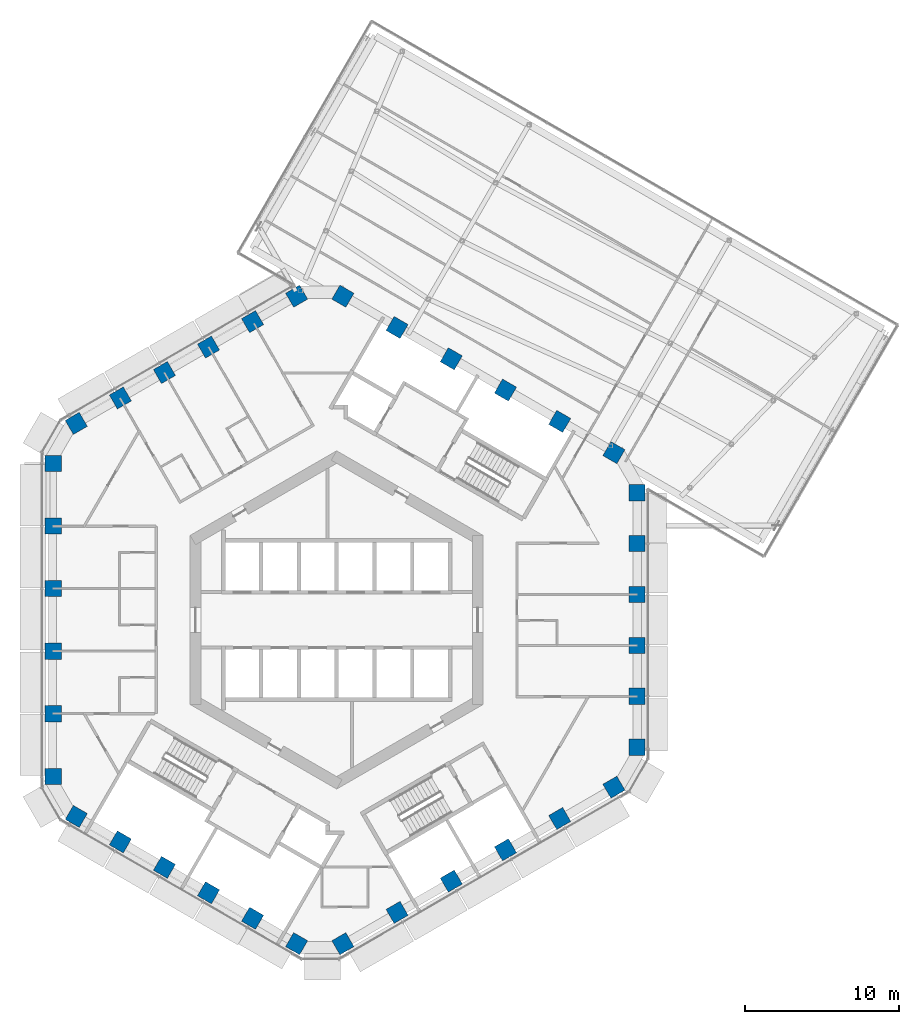
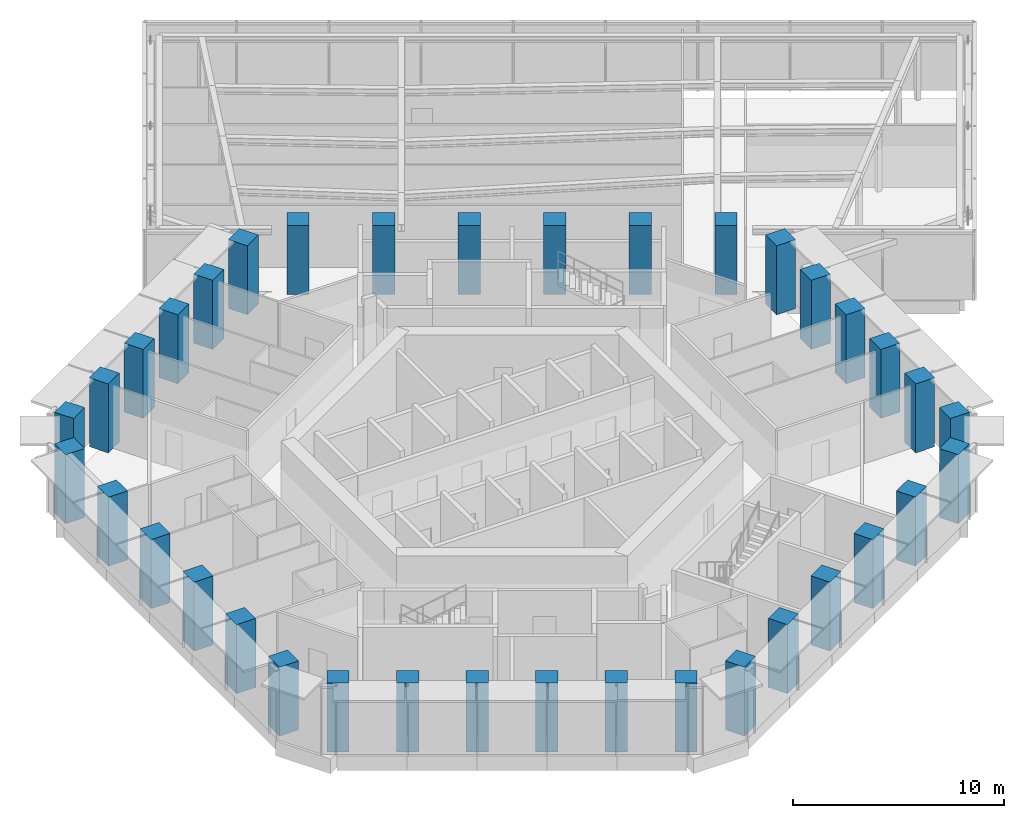
# One storey, part 1 of 28: 36 columns.
"""IFC4 building model written with IfcOpenShell, lengths in metres."""

from ifc_helpers import new_model, si_unit, direction, frame, origin, origin_2d, place, context, subcontext, project, spatial, rectangle, extrude, material, material_profile, profile_set, type_object, element, save


model = new_model("IFC4")

# Units and contexts
model_context = context("Model", 3, precision=1e-05, world=origin(), true_north=direction((0.0, 1.0)))
body_context = subcontext(model_context, "Body", "Model", "MODEL_VIEW")
ifc_project = project(units=[si_unit("LENGTHUNIT", "METRE"), si_unit("AREAUNIT", "SQUARE_METRE"), si_unit("VOLUMEUNIT", "CUBIC_METRE"), si_unit("PLANEANGLEUNIT", "RADIAN"), si_unit("MASSUNIT", "GRAM", prefix="KILO")], contexts=[model_context])

# Site, building, storey
site_placement = place(None, origin())
site = spatial("IfcSite", under=ifc_project, at=site_placement, CompositionType="ELEMENT")
building_placement = place(site_placement, origin())
building = spatial("IfcBuilding", under=site, at=building_placement, Name="Ayvan Gate Tower", CompositionType="ELEMENT")
storey_placement = place(building_placement, frame((0.0, 0.0, 143.89990234375)))
storey = spatial("IfcBuildingStorey", under=building, at=storey_placement, Name="L38", CompositionType="ELEMENT", Elevation=143.89990234375)

# Columns
ifc_material = material(Name="Concrete C60/75", Category="concrete")
ifc_material_profile = material_profile(ifc_material, rectangle(XDim=1.050048828125, YDim=1.050048828125, at=origin_2d()), Name="RC 1050x1050")
ifc_profile_set = profile_set([ifc_material_profile], Name="Concrete C60/75")
column_type = type_object("IfcColumnType", Name="Tube column RC 1050x1050 C60/75", PredefinedType="COLUMN", material=ifc_profile_set)
for number, where, z_axis, x_axis, name in (
    (1, (19.485595703125, -8.252197265625, 0.0), (0.0, 0.0, 1.0), (1.0, 0.0, 0.0), "C-T0-0-L38"),
    (2, (19.485595703125, -4.951416015625, 0.0), (0.0, 0.0, 1.0), (1.0, 0.0, 0.0), "C-T0-1-L38"),
    (3, (19.485595703125, -1.650390625, 0.0), (0.0, 0.0, 1.0), (1.0, 0.0, 0.0), "C-T0-2-L38"),
    (4, (19.485595703125, 1.650390625, 0.0), (0.0, 0.0, 1.0), (1.0, 0.0, 0.0), "C-T0-3-L38"),
    (5, (19.485595703125, 4.951416015625, 0.0), (0.0, 0.0, 1.0), (1.0, 0.0, 0.0), "C-T0-4-L38"),
    (6, (19.485595703125, 8.252197265625, 0.0), (0.0, 0.0, 1.0), (1.0, 0.0, 0.0), "C-T0-5-L38"),
    (7, (17.985595703125, 10.850341796875, 0.0), (0.0, 0.0, 1.0), (0.5, 0.866025403784, 0.0), "C-T1-0-L38"),
    (8, (14.46923828125, 12.88037109375, 0.0), (0.0, 0.0, 1.0), (0.5, 0.866025403784, 0.0), "C-T1-1-L38"),
    (9, (10.952880859375, 14.91064453125, 0.0), (0.0, 0.0, 1.0), (0.5, 0.866025403784, 0.0), "C-T1-2-L38"),
    (10, (7.4365234375, 16.940673828125, 0.0), (0.0, 0.0, 1.0), (0.5, 0.866025403784, 0.0), "C-T1-3-L38"),
    (11, (3.920166015625, 18.970947265625, 0.0), (0.0, 0.0, 1.0), (0.5, 0.866025403784, 0.0), "C-T1-4-L38"),
    (12, (0.40380859375, 21.0009765625, 0.0), (0.0, 0.0, 1.0), (0.5, 0.866025403784, 0.0), "C-T1-5-L38"),
    (13, (-2.59619140625, 21.0009765625, 0.0), (0.0, 0.0, 1.0), (-0.5, 0.866025403784, 0.0), "C-T2-0-L38"),
    (14, (-5.454833984375, 19.3505859375, 0.0), (0.0, 0.0, 1.0), (-0.5, 0.866025403784, 0.0), "C-T2-1-L38"),
    (15, (-8.3134765625, 17.7001953125, 0.0), (0.0, 0.0, 1.0), (-0.5, 0.866025403784, 0.0), "C-T2-2-L38"),
    (16, (-11.172119140625, 16.0498046875, 0.0), (0.0, 0.0, 1.0), (-0.5, 0.866025403784, 0.0), "C-T2-3-L38"),
    (17, (-14.03076171875, 14.3994140625, 0.0), (0.0, 0.0, 1.0), (-0.5, 0.866025403784, 0.0), "C-T2-4-L38"),
    (18, (-16.889404296875, 12.7490234375, 0.0), (0.0, 0.0, 1.0), (-0.5, 0.866025403784, 0.0), "C-T2-5-L38"),
    (19, (-18.389404296875, 10.15087890625, 0.0), (0.0, 0.0, 1.0), (-1.0, 0.0, 0.0), "C-T3-0-L38"),
    (20, (-18.389404296875, 6.090576171875, 0.0), (0.0, 0.0, 1.0), (-1.0, 0.0, 0.0), "C-T3-1-L38"),
    (21, (-18.389404296875, 2.0302734375, 0.0), (0.0, 0.0, 1.0), (-1.0, 0.0, 0.0), "C-T3-2-L38"),
    (22, (-18.389404296875, -2.0302734375, 0.0), (0.0, 0.0, 1.0), (-1.0, 0.0, 0.0), "C-T3-3-L38"),
    (23, (-18.389404296875, -6.090576171875, 0.0), (0.0, 0.0, 1.0), (-1.0, 0.0, 0.0), "C-T3-4-L38"),
    (24, (-18.389404296875, -10.15087890625, 0.0), (0.0, 0.0, 1.0), (-1.0, 0.0, 0.0), "C-T3-5-L38"),
    (25, (-16.889404296875, -12.7490234375, 0.0), (0.0, 0.0, 1.0), (-0.5, -0.866025403784, 0.0), "C-T4-0-L38"),
    (26, (-14.03076171875, -14.3994140625, 0.0), (0.0, 0.0, 1.0), (-0.5, -0.866025403784, 0.0), "C-T4-1-L38"),
    (27, (-11.172119140625, -16.0498046875, 0.0), (0.0, 0.0, 1.0), (-0.5, -0.866025403784, 0.0), "C-T4-2-L38"),
    (28, (-8.3134765625, -17.7001953125, 0.0), (0.0, 0.0, 1.0), (-0.5, -0.866025403784, 0.0), "C-T4-3-L38"),
    (29, (-5.454833984375, -19.3505859375, 0.0), (0.0, 0.0, 1.0), (-0.5, -0.866025403784, 0.0), "C-T4-4-L38"),
    (30, (-2.59619140625, -21.0009765625, 0.0), (0.0, 0.0, 1.0), (-0.5, -0.866025403784, 0.0), "C-T4-5-L38"),
    (31, (0.40380859375, -21.0009765625, 0.0), (0.0, 0.0, 1.0), (0.5, -0.866025403784, 0.0), "C-T5-0-L38"),
    (32, (3.920166015625, -18.970947265625, 0.0), (0.0, 0.0, 1.0), (0.5, -0.866025403784, 0.0), "C-T5-1-L38"),
    (33, (7.4365234375, -16.940673828125, 0.0), (0.0, 0.0, 1.0), (0.5, -0.866025403784, 0.0), "C-T5-2-L38"),
    (34, (10.952880859375, -14.91064453125, 0.0), (0.0, 0.0, 1.0), (0.5, -0.866025403784, 0.0), "C-T5-3-L38"),
    (35, (14.46923828125, -12.88037109375, 0.0), (0.0, 0.0, 1.0), (0.5, -0.866025403784, 0.0), "C-T5-4-L38"),
    (36, (17.985595703125, -10.850341796875, 0.0), (0.0, 0.0, 1.0), (0.5, -0.866025403784, 0.0), "C-T5-5-L38"),
):
    element("IfcColumn", number, at=place(storey_placement, frame(where, z_axis=z_axis, x_axis=x_axis)), inside=storey, type_object=column_type, Name=name, PredefinedType="COLUMN", context=body_context, shape_type="SweptSolid", body=[
        extrude(rectangle(XDim=1.050048828125, YDim=1.050048828125, at=origin_2d()), origin(), (0.0, 0.0, 1.0), 4.0),
    ])

save(model, "model.ifc")
